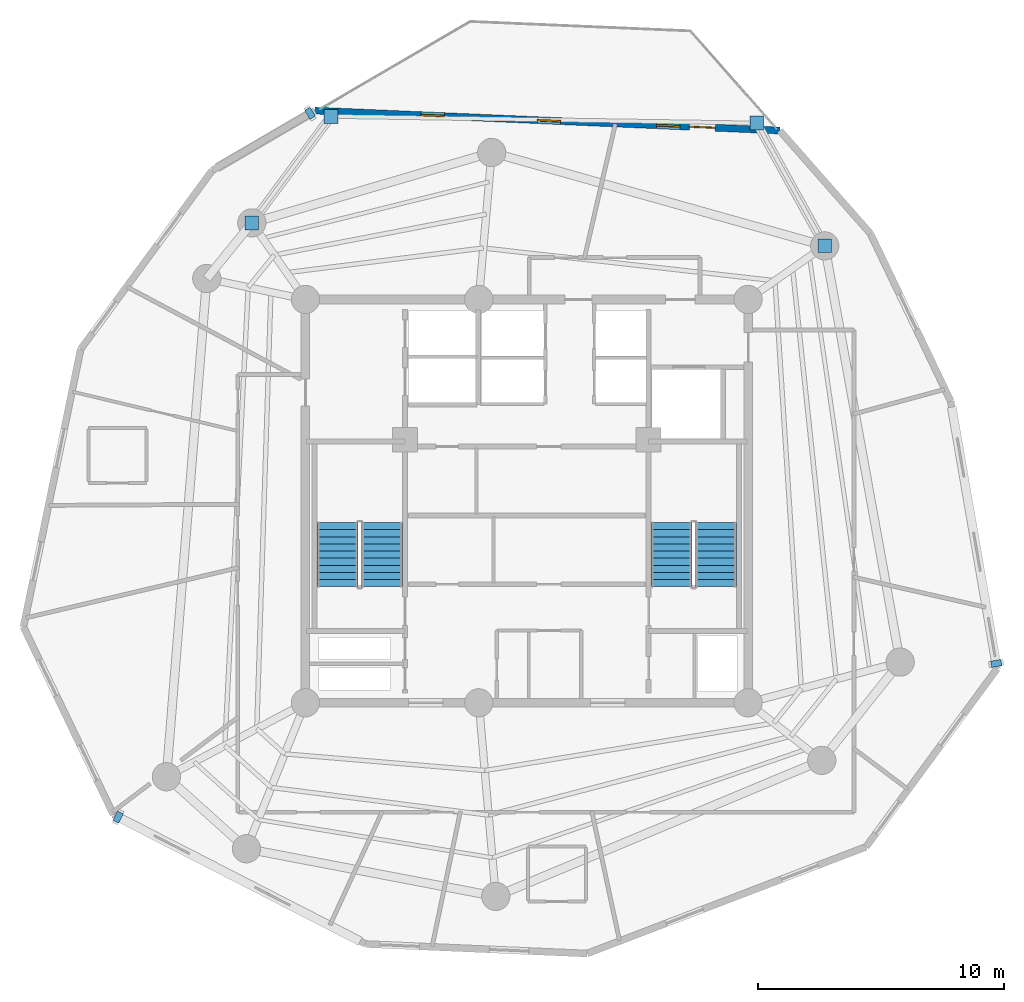
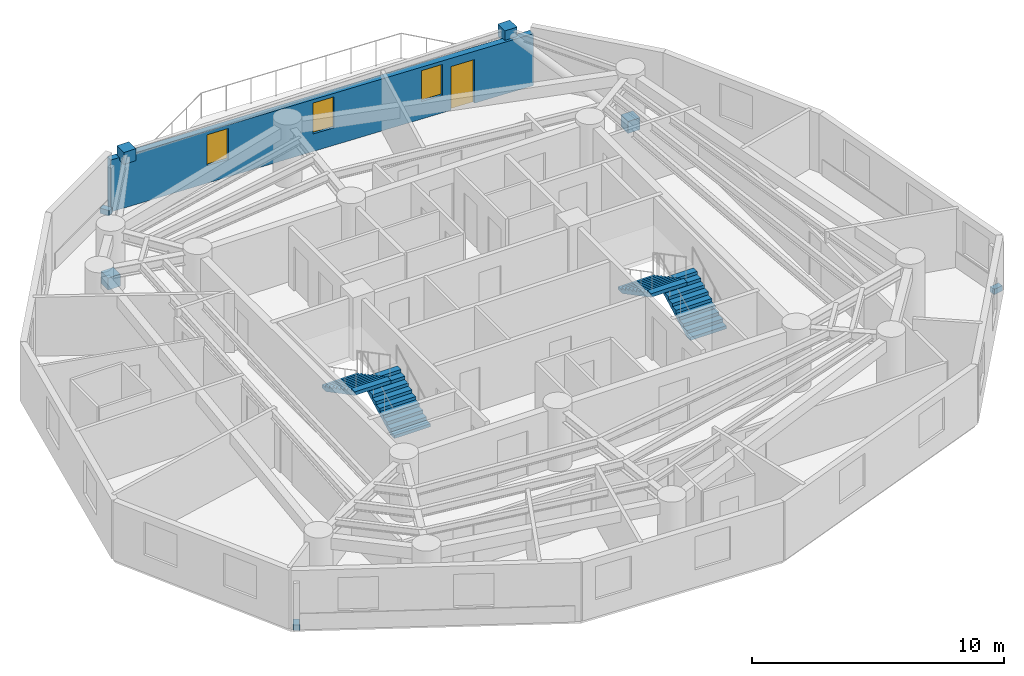
# One storey, part 6 of 8: 7 discrete accessories, 4 stair flights, 3 windows, 1 door, 1 wall, 4 openings, 2 elements without a shape of their own.
"""IFC4 building model written with IfcOpenShell, lengths in metres."""

from ifc_helpers import new_model, si_unit, direction, frame, frame_2d, origin, origin_with_axes, origin_2d, place, context, subcontext, project, spatial, polyline, rectangle, outline, extrude, source, transform, mapped, material, layer, layer_set, type_object, element, fill, aggregate, save


model = new_model("IFC4")

# Units and contexts
model_context = context("Model", 3, precision=1e-05, world=origin(), true_north=direction((0.0, 1.0)))
body_context = subcontext(model_context, "Body", "Model", "MODEL_VIEW")
ifc_project = project(units=[si_unit("LENGTHUNIT", "METRE"), si_unit("AREAUNIT", "SQUARE_METRE"), si_unit("VOLUMEUNIT", "CUBIC_METRE"), si_unit("PLANEANGLEUNIT", "RADIAN"), si_unit("MASSUNIT", "GRAM", prefix="KILO")], contexts=[model_context])

# Site, building, storey
site_placement = place(None, origin())
site = spatial("IfcSite", under=ifc_project, at=site_placement, CompositionType="ELEMENT")
building_placement = place(site_placement, origin())
building = spatial("IfcBuilding", under=site, at=building_placement, Name="Karkom Vertical University and Central Library", CompositionType="ELEMENT")
storey_placement = place(building_placement, frame((0.0, 0.0, 250.449951171875)))
storey = spatial("IfcBuildingStorey", under=building, at=storey_placement, Name="L74", CompositionType="ELEMENT", Elevation=250.449951171875)

# Wall, openings, door, windows
ifc_material_1 = material(Name="Brick-faced precast concrete C45/55", Category="masonry")
ifc_layer = layer(ifc_material_1, 0.280029296875)
ifc_layer_set = layer_set([ifc_layer], Name="Brick-faced precast concrete C45/55")
wall_type = type_object("IfcWallType", Name="ENV-WL-BRK-280", PredefinedType="SOLIDWALL", material=ifc_layer_set)
wall_placement = place(storey_placement, frame((38.79052734375, 41.567138671875, 0.0), z_axis=(0.0, 0.0, 1.0), x_axis=(-0.999077907862, 0.042934065981, 0.0)))
wall = element("IfcWall", 1, at=wall_placement, inside=storey, type_object=wall_type, Name="Level 74 Brick-Faced Precast Facade Wall 08", PredefinedType="SOLIDWALL", context=body_context, shape_type="SweptSolid", body=[
    extrude(rectangle(XDim=18.929931640625, YDim=0.280029296875, at=frame_2d((9.46484375, 0.0))), origin(), (0.0, 0.0, 1.0), 2.52001953125),
])
opening_1_placement = place(wall_placement, frame((4.064697265625, 0.0, 0.85009765625)))
opening_1 = element("IfcOpeningElement", 2, at=opening_1_placement, cuts=wall, Name="Opening WN-12", PredefinedType="OPENING", context=body_context, shape_type="SweptSolid", body=[
    extrude(rectangle(XDim=0.949951171875, YDim=1.5, at=frame_2d((0.47509765625, 0.75))), frame((0.0, 0.14990234375, 0.0), z_axis=(0.0, -1.0, 0.0), x_axis=(1.0, 0.0, 0.0)), (0.0, 0.0, 1.0), 0.300048828125),
])
opening_2_placement = place(wall_placement, frame((8.917724609375, 0.0, 0.85009765625)))
opening_2 = element("IfcOpeningElement", 3, at=opening_2_placement, cuts=wall, Name="Opening WN-12", PredefinedType="OPENING", context=body_context, shape_type="SweptSolid", body=[
    extrude(rectangle(XDim=0.949951171875, YDim=1.5, at=frame_2d((0.47509765625, 0.75))), frame((0.0, 0.14990234375, 0.0), z_axis=(0.0, -1.0, 0.0), x_axis=(1.0, 0.0, 0.0)), (0.0, 0.0, 1.0), 0.300048828125),
])
opening_3_placement = place(wall_placement, frame((13.66015625, 0.0, 0.85009765625)))
opening_3 = element("IfcOpeningElement", 4, at=opening_3_placement, cuts=wall, Name="Opening WN-12", PredefinedType="OPENING", context=body_context, shape_type="SweptSolid", body=[
    extrude(rectangle(XDim=0.949951171875, YDim=1.5, at=frame_2d((0.47509765625, 0.75))), frame((0.0, 0.14990234375, 0.0), z_axis=(0.0, -1.0, 0.0), x_axis=(1.0, 0.0, 0.0)), (0.0, 0.0, 1.0), 0.300048828125),
])
opening_4_placement = place(wall_placement, frame((2.6298828125, 0.0, 0.0)))
opening_4 = element("IfcOpeningElement", 5, at=opening_4_placement, cuts=wall, Name="Opening TD-1", PredefinedType="OPENING", context=body_context, shape_type="SweptSolid", body=[
    extrude(rectangle(XDim=1.050048828125, YDim=2.1201171875, at=frame_2d((0.52490234375, 1.06005859375))), frame((0.0, 0.14990234375, 0.0), z_axis=(0.0, -1.0, 0.0), x_axis=(1.0, 0.0, 0.0)), (0.0, 0.0, 1.0), 0.300048828125),
])
ifc_material_2 = material(Name="Thermally broken glazed aluminium terrace door", Category="aluminium")
door_type = type_object("IfcDoorType", Name="ENV-DR-TERR", OperationType="NOTDEFINED", PredefinedType="DOOR", material=ifc_material_2)
shared_shape_1 = source(origin_with_axes(), body_context, "Body", "SweptSolid", [
    extrude(rectangle(XDim=1.050048828125, YDim=2.1201171875, at=frame_2d((0.52490234375, 1.06005859375))), frame((0.0, 0.02490234375, 0.0), z_axis=(0.0, -1.0, 0.0), x_axis=(1.0, 0.0, 0.0)), (0.0, 0.0, 1.0), 0.050048828125),
])
door_placement = place(opening_4_placement, origin())
door = element("IfcDoor", 6, at=door_placement, inside=storey, type_object=door_type, Name="Level 74 Outdoor Terrace Access Door", OperationType="SINGLE_SWING_RIGHT", OverallHeight=2.1201171875, OverallWidth=1.050048828125, PredefinedType="DOOR", context=body_context, shape_type="MappedRepresentation", body=[
    mapped(shared_shape_1, transform((0.0, 0.0, 0.0), scale=1.0)),
])
fill(opening_4, door)
ifc_material_3 = material(Name="Aluminium thermal-break frame with solar-control IGU", Category="aluminium")
window_type = type_object("IfcWindowType", Name="ENV-WIN-WN-12", PartitioningType="SINGLE_PANEL", PredefinedType="WINDOW", material=ifc_material_3)
shared_shape_2 = source(origin_with_axes(), body_context, "Body", "SweptSolid", [
    extrude(rectangle(XDim=0.949951171875, YDim=1.5, at=frame_2d((0.47509765625, 0.75))), frame((0.0, 0.030029296875, 0.0), z_axis=(0.0, -1.0, 0.0), x_axis=(1.0, 0.0, 0.0)), (0.0, 0.0, 1.0), 0.06005859375),
])
window_1_placement = place(opening_1_placement, origin())
window_1 = element("IfcWindow", 7, at=window_1_placement, inside=storey, type_object=window_type, Name="Level 74 Punched Window 8.1", OverallHeight=1.5, OverallWidth=0.949951171875, PartitioningType="SINGLE_PANEL", PredefinedType="WINDOW", context=body_context, shape_type="MappedRepresentation", body=[
    mapped(shared_shape_2, transform((0.0, 0.0, 0.0), scale=1.0)),
])
fill(opening_1, window_1)
window_2_placement = place(opening_2_placement, origin())
window_2 = element("IfcWindow", 8, at=window_2_placement, inside=storey, type_object=window_type, Name="Level 74 Punched Window 8.2", OverallHeight=1.5, OverallWidth=0.949951171875, PartitioningType="SINGLE_PANEL", PredefinedType="WINDOW", context=body_context, shape_type="MappedRepresentation", body=[
    mapped(shared_shape_2, transform((0.0, 0.0, 0.0), scale=1.0)),
])
fill(opening_2, window_2)
window_3_placement = place(opening_3_placement, origin())
window_3 = element("IfcWindow", 9, at=window_3_placement, inside=storey, type_object=window_type, Name="Level 74 Punched Window 8.3", OverallHeight=1.5, OverallWidth=0.949951171875, PartitioningType="SINGLE_PANEL", PredefinedType="WINDOW", context=body_context, shape_type="MappedRepresentation", body=[
    mapped(shared_shape_2, transform((0.0, 0.0, 0.0), scale=1.0)),
])
fill(opening_3, window_3)

# Stair, stair flights
ifc_material_4 = material(Name="Concrete C45/55", Category="concrete")
stair_type = type_object("IfcStairType", Name="INT-STR-ST-MAIN", PredefinedType="HALF_TURN_STAIR", material=ifc_material_4)
stair_1_placement = place(storey_placement, origin())
stair_1 = element("IfcStair", 10, at=stair_1_placement, inside=storey, type_object=stair_type, Name="Level 74 Tower Protected Exit Stair ST-1", PredefinedType="HALF_TURN_STAIR")
stair_flight_type = type_object("IfcStairFlightType", Name="INT-SFL-ST-MAIN", PredefinedType="STRAIGHT", material=ifc_material_4)
stair_flight_1_placement = place(storey_placement, frame((22.614990234375, 23.02001953125, 0.0), z_axis=(0.0, 0.0, 1.0), x_axis=(0.0, 1.0, 0.0)))
stair_flight_1 = element("IfcStairFlight", 11, at=stair_flight_1_placement, type_object=stair_flight_type, Name="ST-1 flight 1", NumberOfRisers=10, NumberOfTreads=9, PredefinedType="STRAIGHT", RiserHeight=0.1525, TreadLength=0.29, context=body_context, shape_type="SweptSolid", body=[
    extrude(outline(polyline([(0.0, 0.0), (0.0, 0.152587890625), (0.2900390625, 0.152587890625), (0.2900390625, 0.304931640625), (0.580078125, 0.304931640625), (0.580078125, 0.45751953125), (0.8701171875, 0.45751953125), (0.8701171875, 0.610107421875), (1.159912109375, 0.610107421875), (1.159912109375, 0.762451171875), (1.449951171875, 0.762451171875), (1.449951171875, 0.9150390625), (1.739990234375, 0.9150390625), (1.739990234375, 1.0673828125), (2.030029296875, 1.0673828125), (2.030029296875, 1.219970703125), (2.320068359375, 1.219970703125), (2.320068359375, 1.37255859375), (2.610107421875, 1.37255859375), (2.610107421875, 1.52490234375), (2.610107421875, 1.203125), (0.322021484375, 0.0), (0.0, 0.0)])), frame((0.0, 0.824951171875, 0.0), z_axis=(0.0, -1.0, 0.0), x_axis=(1.0, 0.0, 0.0)), (0.0, 0.0, 1.0), 1.64990234375),
])
stair_flight_2_placement = place(storey_placement, frame((20.804931640625, 25.6298828125, 1.525146484375), z_axis=(0.0, 0.0, 1.0), x_axis=(0.0, -1.0, 0.0)))
stair_flight_2 = element("IfcStairFlight", 12, at=stair_flight_2_placement, type_object=stair_flight_type, Name="ST-1 flight 2", NumberOfRisers=10, NumberOfTreads=9, PredefinedType="STRAIGHT", RiserHeight=0.1525, TreadLength=0.29, context=body_context, shape_type="SweptSolid", body=[
    extrude(outline(polyline([(0.0, 0.0), (0.0, 0.152587890625), (0.2900390625, 0.152587890625), (0.2900390625, 0.304931640625), (0.580078125, 0.304931640625), (0.580078125, 0.45751953125), (0.8701171875, 0.45751953125), (0.8701171875, 0.610107421875), (1.159912109375, 0.610107421875), (1.159912109375, 0.762451171875), (1.449951171875, 0.762451171875), (1.449951171875, 0.9150390625), (1.739990234375, 0.9150390625), (1.739990234375, 1.0673828125), (2.030029296875, 1.0673828125), (2.030029296875, 1.219970703125), (2.320068359375, 1.219970703125), (2.320068359375, 1.37255859375), (2.610107421875, 1.37255859375), (2.610107421875, 1.52490234375), (2.610107421875, 1.203125), (0.322021484375, 0.0), (0.0, 0.0)])), frame((0.0, 0.824951171875, 0.0), z_axis=(0.0, -1.0, 0.0), x_axis=(1.0, 0.0, 0.0)), (0.0, 0.0, 1.0), 1.64990234375),
])
aggregate(stair_1, [stair_flight_1, stair_flight_2])

stair_2_placement = place(storey_placement, origin())
stair_2 = element("IfcStair", 13, at=stair_2_placement, inside=storey, type_object=stair_type, Name="Level 74 Tower Protected Exit Stair ST-2", PredefinedType="HALF_TURN_STAIR")
stair_flight_3_placement = place(storey_placement, frame((36.195068359375, 23.02001953125, 0.0), z_axis=(0.0, 0.0, 1.0), x_axis=(0.0, 1.0, 0.0)))
stair_flight_3 = element("IfcStairFlight", 14, at=stair_flight_3_placement, type_object=stair_flight_type, Name="ST-2 flight 1", NumberOfRisers=10, NumberOfTreads=9, PredefinedType="STRAIGHT", RiserHeight=0.1525, TreadLength=0.29, context=body_context, shape_type="SweptSolid", body=[
    extrude(outline(polyline([(0.0, 0.0), (0.0, 0.152587890625), (0.2900390625, 0.152587890625), (0.2900390625, 0.304931640625), (0.580078125, 0.304931640625), (0.580078125, 0.45751953125), (0.8701171875, 0.45751953125), (0.8701171875, 0.610107421875), (1.159912109375, 0.610107421875), (1.159912109375, 0.762451171875), (1.449951171875, 0.762451171875), (1.449951171875, 0.9150390625), (1.739990234375, 0.9150390625), (1.739990234375, 1.0673828125), (2.030029296875, 1.0673828125), (2.030029296875, 1.219970703125), (2.320068359375, 1.219970703125), (2.320068359375, 1.37255859375), (2.610107421875, 1.37255859375), (2.610107421875, 1.52490234375), (2.610107421875, 1.203125), (0.322021484375, 0.0), (0.0, 0.0)])), frame((0.0, 0.824951171875, 0.0), z_axis=(0.0, -1.0, 0.0), x_axis=(1.0, 0.0, 0.0)), (0.0, 0.0, 1.0), 1.64990234375),
])
stair_flight_4_placement = place(storey_placement, frame((34.385009765625, 25.6298828125, 1.525146484375), z_axis=(0.0, 0.0, 1.0), x_axis=(0.0, -1.0, 0.0)))
stair_flight_4 = element("IfcStairFlight", 15, at=stair_flight_4_placement, type_object=stair_flight_type, Name="ST-2 flight 2", NumberOfRisers=10, NumberOfTreads=9, PredefinedType="STRAIGHT", RiserHeight=0.1525, TreadLength=0.29, context=body_context, shape_type="SweptSolid", body=[
    extrude(outline(polyline([(0.0, 0.0), (0.0, 0.152587890625), (0.2900390625, 0.152587890625), (0.2900390625, 0.304931640625), (0.580078125, 0.304931640625), (0.580078125, 0.45751953125), (0.8701171875, 0.45751953125), (0.8701171875, 0.610107421875), (1.159912109375, 0.610107421875), (1.159912109375, 0.762451171875), (1.449951171875, 0.762451171875), (1.449951171875, 0.9150390625), (1.739990234375, 0.9150390625), (1.739990234375, 1.0673828125), (2.030029296875, 1.0673828125), (2.030029296875, 1.219970703125), (2.320068359375, 1.219970703125), (2.320068359375, 1.37255859375), (2.610107421875, 1.37255859375), (2.610107421875, 1.52490234375), (2.610107421875, 1.203125), (0.322021484375, 0.0), (0.0, 0.0)])), frame((0.0, 0.824951171875, 0.0), z_axis=(0.0, -1.0, 0.0), x_axis=(1.0, 0.0, 0.0)), (0.0, 0.0, 1.0), 1.64990234375),
])
aggregate(stair_2, [stair_flight_3, stair_flight_4])

# Discrete accessories
ifc_material_5 = material(Name="Ductile cast iron EN-GJS-400-15", Category="metal")
discrete_accessory_type_1 = type_object("IfcDiscreteAccessoryType", Name="STR-ACC-NODECAP", PredefinedType="BRACKET", material=ifc_material_5)
shared_shape_3 = source(origin_with_axes(), body_context, "Body", "SweptSolid", [
    extrude(rectangle(XDim=0.56005859375, YDim=0.56005859375, at=origin_2d()), origin(), (0.0, 0.0, 1.0), 0.580078125),
])
for number, where, z_axis, x_axis, name in (
    (16, (40.613037109375, 36.8798828125, 0.06005859375), (0.0, 0.0, 1.0), (1.0, 0.0, 0.0), "Level 74 Cast Node Connector L74-SKG-KNEE-1 A"),
    (17, (37.854736328125, 41.87060546875, 2.39501953125), (0.0, 0.0, 1.0), (1.0, 0.0, 0.0), "Level 74 Cast Node Connector L74-SKG-KNEE-1 B"),
    (18, (17.320068359375, 37.81298828125, 0.06005859375), (0.0, 0.0, 1.0), (1.0, 0.0, 0.0), "Level 74 Cast Node Connector L74-SKG-KNEE-2 A"),
    (19, (20.5419921875, 42.14404296875, 2.39501953125), (0.0, 0.0, 1.0), (1.0, 0.0, 0.0), "Level 74 Cast Node Connector L74-SKG-KNEE-2 B"),
):
    element("IfcDiscreteAccessory", number, at=place(storey_placement, frame(where, z_axis=z_axis, x_axis=x_axis)), inside=storey, type_object=discrete_accessory_type_1, Name=name, PredefinedType="BRACKET", context=body_context, shape_type="MappedRepresentation", body=[
        mapped(shared_shape_3, transform((0.0, 0.0, 0.0), scale=1.0)),
    ])
ifc_material_6 = material(Name="Austenitic stainless steel 316", Category="steel")
discrete_accessory_type_2 = type_object("IfcDiscreteAccessoryType", Name="INT-ACC-BRACKET", PredefinedType="BRACKET", material=ifc_material_6)
shared_shape_4 = source(origin_with_axes(), body_context, "Body", "SweptSolid", [
    extrude(rectangle(XDim=0.260009765625, YDim=0.419921875, at=origin_2d()), origin(), (0.0, 0.0, 1.0), 0.260009765625),
])
for number, where, z_axis, x_axis, name in (
    (20, (11.884521484375, 13.65380859375, 0.0), (0.0, 0.0, 1.0), (0.889735271073, -0.456476885952, 0.0), "Level 74 Sun-Breaker Stainless Corbel Bracket 34"),
    (21, (47.58740234375, 19.89990234375, 0.0), (0.0, 0.0, 1.0), (-0.17072543418, 0.985318641925, 0.0), "Level 74 Sun-Breaker Stainless Corbel Bracket 35"),
    (22, (19.68798828125, 42.26904296875, 0.0), (0.0, 0.0, 1.0), (-0.863659602288, -0.504075481823, 0.0), "Level 74 Sun-Breaker Stainless Corbel Bracket 36"),
):
    element("IfcDiscreteAccessory", number, at=place(storey_placement, frame(where, z_axis=z_axis, x_axis=x_axis)), inside=storey, type_object=discrete_accessory_type_2, Name=name, PredefinedType="BRACKET", context=body_context, shape_type="MappedRepresentation", body=[
        mapped(shared_shape_4, transform((0.0, 0.0, 0.0), scale=1.0)),
    ])

save(model, "model.ifc")
